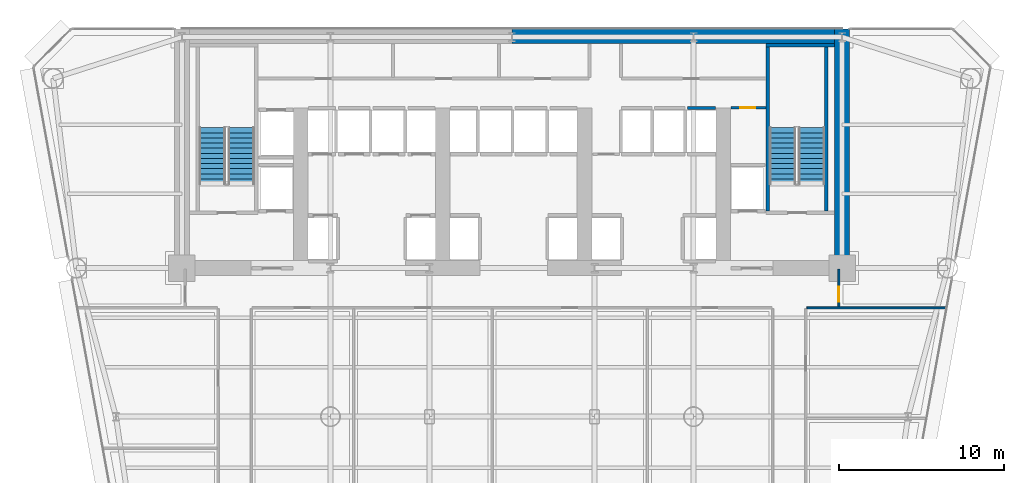
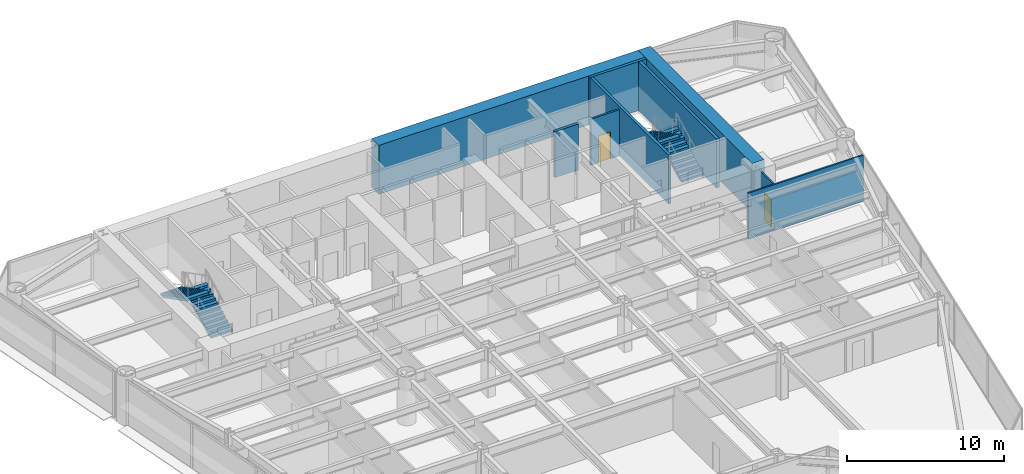
# One storey, part 10 of 14: 9 walls, 4 stair flights, 2 doors, 2 openings, 2 elements without a shape of their own.
"""IFC4 building model written with IfcOpenShell, lengths in metres."""

from ifc_helpers import new_model, si_unit, direction, frame, frame_2d, origin, place, context, subcontext, project, spatial, polyline, rectangle, outline, extrude, source, transform, mapped, material, layer, layer_set, type_object, element, fill, aggregate, save


model = new_model("IFC4")

# Units and contexts
model_context = context("Model", 3, precision=1e-05, world=origin(), true_north=direction((0.0, 1.0)))
body_context = subcontext(model_context, "Body", "Model", "MODEL_VIEW")
ifc_project = project(units=[si_unit("LENGTHUNIT", "METRE"), si_unit("AREAUNIT", "SQUARE_METRE"), si_unit("VOLUMEUNIT", "CUBIC_METRE"), si_unit("PLANEANGLEUNIT", "RADIAN"), si_unit("MASSUNIT", "GRAM", prefix="KILO")], contexts=[model_context])

# Site, building, storey
site_placement = place(None, origin())
site = spatial("IfcSite", under=ifc_project, at=site_placement, CompositionType="ELEMENT")
building_placement = place(site_placement, origin())
building = spatial("IfcBuilding", under=site, at=building_placement, Name="Vaeldorn Concourse Tower", CompositionType="ELEMENT")
storey_placement = place(building_placement, frame((0.0, 0.0, 56.800048828125)))
storey = spatial("IfcBuildingStorey", under=building, at=storey_placement, Name="L14", CompositionType="ELEMENT", Elevation=56.800048828125)

# Walls
ifc_material_1 = material(Name="Concrete C60/75", Category="concrete")
ifc_layer_1 = layer(ifc_material_1, 0.89990234375)
ifc_layer_set_1 = layer_set([ifc_layer_1], Name="Concrete C60/75")
wall_type_1 = type_object("IfcWallType", Name="WL-CORE-900", PredefinedType="SHEAR", material=ifc_layer_set_1)
wall_1_placement = place(storey_placement, frame((34.001953125, 50.550048828125, 0.0), z_axis=(0.0, 0.0, 1.0), x_axis=(1.0, 0.0, 0.0)))
element("IfcWall", 1, at=wall_1_placement, inside=storey, type_object=wall_type_1, Name="Rear Core Shear Wall L14 N2", PredefinedType="SHEAR", context=body_context, shape_type="SweptSolid", body=[
    extrude(rectangle(XDim=19.5439453125, YDim=0.89990234375, at=frame_2d((9.77197265625, 0.0))), origin(), (0.0, 0.0, 1.0), 3.800048828125),
])
wall_2_placement = place(storey_placement, frame((54.0, 36.5, 0.0), z_axis=(0.0, 0.0, 1.0), x_axis=(0.0, 1.0, 0.0)))
element("IfcWall", 2, at=wall_2_placement, inside=storey, type_object=wall_type_1, Name="Rear Core Shear Wall L14 E1", PredefinedType="SHEAR", context=body_context, shape_type="SweptSolid", body=[
    extrude(rectangle(XDim=14.5, YDim=0.89990234375, at=frame_2d((7.25, 0.0))), origin(), (0.0, 0.0, 1.0), 3.800048828125),
])
ifc_material_2 = material(Name="Gypsum Board Partition", Category="gypsum")
ifc_layer_2 = layer(ifc_material_2, 0.1201171875)
ifc_layer_set_2 = layer_set([ifc_layer_2], Name="Gypsum Board Partition")
wall_type_2 = type_object("IfcWallType", Name="WL-PART-120", PredefinedType="PARTITIONING", material=ifc_layer_set_2)
wall_3_placement = place(storey_placement, frame((51.860107421875, 34.10009765625, 0.0), z_axis=(0.0, 0.0, 1.0), x_axis=(1.0, 0.0, 0.0)))
element("IfcWall", 3, at=wall_3_placement, inside=storey, type_object=wall_type_2, Name="Interior Wall PW-L14-CEWE", PredefinedType="PARTITIONING", context=body_context, shape_type="SweptSolid", body=[
    extrude(rectangle(XDim=8.439208984375, YDim=0.1201171875, at=frame_2d((4.2197265625, 0.0))), origin(), (0.0, 0.0, 1.0), 3.579833984375),
])

# Wall, opening, door
wall_4_placement = place(storey_placement, frame((53.800048828125, 34.159912109375, 0.0), z_axis=(0.0, 0.0, 1.0), x_axis=(0.0, 1.0, 0.0)))
wall_4 = element("IfcWall", 4, at=wall_4_placement, inside=storey, type_object=wall_type_2, Name="Interior Wall PW-L14-CEET", PredefinedType="PARTITIONING", context=body_context, shape_type="SweptSolid", body=[
    extrude(rectangle(XDim=2.280029296875, YDim=0.1201171875, at=frame_2d((1.14013671875, 0.0))), origin(), (0.0, 0.0, 1.0), 3.579833984375),
])
opening_1_placement = place(wall_4_placement, frame((0.300048828125, 0.0, 0.0)))
opening_1 = element("IfcOpeningElement", 5, at=opening_1_placement, cuts=wall_4, Name="Opening D-03", PredefinedType="OPENING", context=body_context, shape_type="SweptSolid", body=[
    extrude(rectangle(XDim=0.89990234375, YDim=2.14990234375, at=frame_2d((0.449951171875, 1.074951171875))), frame((0.0, 0.070068359375, 0.0), z_axis=(0.0, -1.0, 0.0), x_axis=(1.0, 0.0, 0.0)), (0.0, 0.0, 1.0), 0.14013671875),
])
ifc_material_3 = material(Name="Acoustic Bronze-Framed Glass Door", Category="glass")
door_type_1 = type_object("IfcDoorType", Name="DR-INT-900", OperationType="NOTDEFINED", PredefinedType="DOOR", material=ifc_material_3)
shared_shape_1 = source(origin(), body_context, "Body", "SweptSolid", [
    extrude(rectangle(XDim=0.89990234375, YDim=2.14990234375, at=frame_2d((0.449951171875, 1.074951171875))), frame((0.0, 0.02490234375, 0.0), z_axis=(0.0, -1.0, 0.0), x_axis=(1.0, 0.0, 0.0)), (0.0, 0.0, 1.0), 0.050048828125),
])
door_1_placement = place(opening_1_placement, origin())
door_1 = element("IfcDoor", 6, at=door_1_placement, inside=storey, type_object=door_type_1, Name="Interior Door DR-L14-NE1", OperationType="SINGLE_SWING_RIGHT", OverallHeight=2.14990234375, OverallWidth=0.89990234375, PredefinedType="DOOR", context=body_context, shape_type="MappedRepresentation", body=[
    mapped(shared_shape_1, transform((0.0, 0.0, 0.0), scale=1.0)),
])
fill(opening_1, door_1)

ifc_layer_3 = layer(ifc_material_2, 0.14990234375)
ifc_layer_set_3 = layer_set([ifc_layer_3], Name="Gypsum Board Partition")
wall_type_3 = type_object("IfcWallType", Name="WL-PART-150", PredefinedType="PARTITIONING", material=ifc_layer_set_3)
wall_5_placement = place(storey_placement, frame((47.280029296875, 46.219970703125, 0.0), z_axis=(0.0, 0.0, 1.0), x_axis=(1.0, 0.0, 0.0)))
wall_5 = element("IfcWall", 7, at=wall_5_placement, inside=storey, type_object=wall_type_3, Name="Interior Wall CW-L14-CRSE-N", PredefinedType="PARTITIONING", context=body_context, shape_type="SweptSolid", body=[
    extrude(rectangle(XDim=2.099853515625, YDim=0.14990234375, at=frame_2d((1.0498046875, 0.0))), origin(), (0.0, 0.0, 1.0), 3.579833984375),
])
opening_2_placement = place(wall_5_placement, frame((0.550048828125, 0.0, 0.0)))
opening_2 = element("IfcOpeningElement", 8, at=opening_2_placement, cuts=wall_5, Name="Opening D-02", PredefinedType="OPENING", context=body_context, shape_type="SweptSolid", body=[
    extrude(rectangle(XDim=0.89990234375, YDim=2.10009765625, at=frame_2d((0.449951171875, 1.050048828125))), frame((0.0, 0.0849609375, 0.0), z_axis=(0.0, -1.0, 0.0), x_axis=(1.0, 0.0, 0.0)), (0.0, 0.0, 1.0), 0.169921875),
])
ifc_material_4 = material(Name="Fire-Rated Timber Leaf", Category="wood")
door_type_2 = type_object("IfcDoorType", Name="DR-FD30-900", OperationType="NOTDEFINED", PredefinedType="DOOR", material=ifc_material_4)
shared_shape_2 = source(origin(), body_context, "Body", "SweptSolid", [
    extrude(rectangle(XDim=0.89990234375, YDim=2.10009765625, at=frame_2d((0.449951171875, 1.050048828125))), frame((0.0, 0.02490234375, 0.0), z_axis=(0.0, -1.0, 0.0), x_axis=(1.0, 0.0, 0.0)), (0.0, 0.0, 1.0), 0.050048828125),
])
door_2_placement = place(opening_2_placement, origin())
door_2 = element("IfcDoor", 9, at=door_2_placement, inside=storey, type_object=door_type_2, Name="Interior Door DR-L14-CRSE", OperationType="SINGLE_SWING_RIGHT", OverallHeight=2.10009765625, OverallWidth=0.89990234375, PredefinedType="DOOR", context=body_context, shape_type="MappedRepresentation", body=[
    mapped(shared_shape_2, transform((0.0, 0.0, 0.0), scale=1.0)),
])
fill(opening_2, door_2)

# Walls
ifc_material_5 = material(Name="Concrete C50/60", Category="concrete")
ifc_layer_4 = layer(ifc_material_5, 0.199951171875)
ifc_layer_set_4 = layer_set([ifc_layer_4], Name="Concrete C50/60")
wall_type_4 = type_object("IfcWallType", Name="WL-SHAFT-200", PredefinedType="SOLIDWALL", material=ifc_layer_set_4)
wall_6_placement = place(storey_placement, frame((49.39990234375, 50.0, 0.0), z_axis=(0.0, 0.0, 1.0), x_axis=(1.0, 0.0, 0.0)))
element("IfcWall", 10, at=wall_6_placement, inside=storey, type_object=wall_type_4, Name="Stair Shaft Wall CW-L14-ST-2-N", PredefinedType="SOLIDWALL", context=body_context, shape_type="SweptSolid", body=[
    extrude(rectangle(XDim=4.150146484375, YDim=0.199951171875, at=frame_2d((2.0751953125, 0.0))), origin(), (0.0, 0.0, 1.0), 3.800048828125),
])
for number, where, z_axis, x_axis, name in (
    (11, (49.5, 39.9599609375, 0.0), (0.0, 0.0, 1.0), (0.0, 1.0, 0.0), "Stair Shaft Wall CW-L14-ST-2-W"),
    (12, (53.050048828125, 39.9599609375, 0.0), (0.0, 0.0, 1.0), (0.0, 1.0, 0.0), "Stair Shaft Wall CW-L14-ST-2-E"),
):
    element("IfcWall", number, at=place(storey_placement, frame(where, z_axis=z_axis, x_axis=x_axis)), inside=storey, type_object=wall_type_4, Name=name, PredefinedType="SOLIDWALL", context=body_context, shape_type="SweptSolid", body=[
        extrude(rectangle(XDim=9.929931640625, YDim=0.199951171875, at=frame_2d((4.96484375, 0.0))), origin(), (0.0, 0.0, 1.0), 3.800048828125),
    ])
wall_7_placement = place(storey_placement, frame((44.6201171875, 46.199951171875, 0.0), z_axis=(0.0, 0.0, 1.0), x_axis=(1.0, 0.0, 0.0)))
element("IfcWall", 13, at=wall_7_placement, inside=storey, type_object=wall_type_4, Name="Interior Wall CW-L14-LFB-LF-17", PredefinedType="SOLIDWALL", context=body_context, shape_type="SweptSolid", body=[
    extrude(rectangle(XDim=1.719970703125, YDim=0.199951171875, at=frame_2d((0.85986328125, 0.0))), origin(), (0.0, 0.0, 1.0), 3.579833984375),
])

# Stair, stair flights
ifc_material_6 = material(Name="Precast concrete C40/50", Category="concrete")
stair_type = type_object("IfcStairType", Name="STR-DOG-24x158", PredefinedType="HALF_TURN_STAIR", material=ifc_material_6)
stair_1_placement = place(storey_placement, origin())
stair_1 = element("IfcStair", 14, at=stair_1_placement, inside=storey, type_object=stair_type, Name="L14 West Core Exit Stair ST-1", PredefinedType="HALF_TURN_STAIR")
stair_flight_type = type_object("IfcStairFlightType", Name="STF-STR-12x158", PredefinedType="STRAIGHT", material=ifc_material_6)
stair_flight_1_placement = place(storey_placement, frame((17.60009765625, 41.60009765625, 0.0), z_axis=(0.0, 0.0, 1.0), x_axis=(0.0, 1.0, 0.0)))
stair_flight_1 = element("IfcStairFlight", 15, at=stair_flight_1_placement, type_object=stair_flight_type, Name="ST-1 flight 1", NumberOfRisers=12, NumberOfTreads=11, PredefinedType="STRAIGHT", RiserHeight=0.158333333, TreadLength=0.31, context=body_context, shape_type="SweptSolid", body=[
    extrude(outline(polyline([(0.0, 0.0), (0.0, 0.158447265625), (0.31005859375, 0.158447265625), (0.31005859375, 0.316650390625), (0.6201171875, 0.316650390625), (0.6201171875, 0.47509765625), (0.929931640625, 0.47509765625), (0.929931640625, 0.63330078125), (1.239990234375, 0.63330078125), (1.239990234375, 0.791748046875), (1.550048828125, 0.791748046875), (1.550048828125, 0.949951171875), (1.860107421875, 0.949951171875), (1.860107421875, 1.1083984375), (2.169921875, 1.1083984375), (2.169921875, 1.2666015625), (2.47998046875, 1.2666015625), (2.47998046875, 1.425048828125), (2.7900390625, 1.425048828125), (2.7900390625, 1.583251953125), (3.10009765625, 1.583251953125), (3.10009765625, 1.74169921875), (3.409912109375, 1.74169921875), (3.409912109375, 1.89990234375), (3.409912109375, 1.5732421875), (0.32958984375, 0.0), (0.0, 0.0)])), frame((0.0, 0.800048828125, 0.0), z_axis=(0.0, -1.0, 0.0), x_axis=(1.0, 0.0, 0.0)), (0.0, 0.0, 1.0), 1.60009765625),
])
stair_flight_2_placement = place(storey_placement, frame((15.85009765625, 45.010009765625, 1.89990234375), z_axis=(0.0, 0.0, 1.0), x_axis=(0.0, -1.0, 0.0)))
stair_flight_2 = element("IfcStairFlight", 16, at=stair_flight_2_placement, type_object=stair_flight_type, Name="ST-1 flight 2", NumberOfRisers=12, NumberOfTreads=11, PredefinedType="STRAIGHT", RiserHeight=0.158333333, TreadLength=0.31, context=body_context, shape_type="SweptSolid", body=[
    extrude(outline(polyline([(0.0, 0.0), (0.0, 0.158447265625), (0.31005859375, 0.158447265625), (0.31005859375, 0.316650390625), (0.6201171875, 0.316650390625), (0.6201171875, 0.47509765625), (0.929931640625, 0.47509765625), (0.929931640625, 0.63330078125), (1.239990234375, 0.63330078125), (1.239990234375, 0.791748046875), (1.550048828125, 0.791748046875), (1.550048828125, 0.949951171875), (1.860107421875, 0.949951171875), (1.860107421875, 1.1083984375), (2.169921875, 1.1083984375), (2.169921875, 1.2666015625), (2.47998046875, 1.2666015625), (2.47998046875, 1.425048828125), (2.7900390625, 1.425048828125), (2.7900390625, 1.583251953125), (3.10009765625, 1.583251953125), (3.10009765625, 1.74169921875), (3.409912109375, 1.74169921875), (3.409912109375, 1.89990234375), (3.409912109375, 1.5732421875), (0.32958984375, 0.0), (0.0, 0.0)])), frame((0.0, 0.800048828125, 0.0), z_axis=(0.0, -1.0, 0.0), x_axis=(1.0, 0.0, 0.0)), (0.0, 0.0, 1.0), 1.60009765625),
])
aggregate(stair_1, [stair_flight_1, stair_flight_2])

stair_2_placement = place(storey_placement, origin())
stair_2 = element("IfcStair", 17, at=stair_2_placement, inside=storey, type_object=stair_type, Name="L14 East Core Exit Stair ST-2", PredefinedType="HALF_TURN_STAIR")
stair_flight_3_placement = place(storey_placement, frame((52.14990234375, 41.60009765625, 0.0), z_axis=(0.0, 0.0, 1.0), x_axis=(0.0, 1.0, 0.0)))
stair_flight_3 = element("IfcStairFlight", 18, at=stair_flight_3_placement, type_object=stair_flight_type, Name="ST-2 flight 1", NumberOfRisers=12, NumberOfTreads=11, PredefinedType="STRAIGHT", RiserHeight=0.158333333, TreadLength=0.31, context=body_context, shape_type="SweptSolid", body=[
    extrude(outline(polyline([(0.0, 0.0), (0.0, 0.158447265625), (0.31005859375, 0.158447265625), (0.31005859375, 0.316650390625), (0.6201171875, 0.316650390625), (0.6201171875, 0.47509765625), (0.929931640625, 0.47509765625), (0.929931640625, 0.63330078125), (1.239990234375, 0.63330078125), (1.239990234375, 0.791748046875), (1.550048828125, 0.791748046875), (1.550048828125, 0.949951171875), (1.860107421875, 0.949951171875), (1.860107421875, 1.1083984375), (2.169921875, 1.1083984375), (2.169921875, 1.2666015625), (2.47998046875, 1.2666015625), (2.47998046875, 1.425048828125), (2.7900390625, 1.425048828125), (2.7900390625, 1.583251953125), (3.10009765625, 1.583251953125), (3.10009765625, 1.74169921875), (3.409912109375, 1.74169921875), (3.409912109375, 1.89990234375), (3.409912109375, 1.5732421875), (0.32958984375, 0.0), (0.0, 0.0)])), frame((0.0, 0.800048828125, 0.0), z_axis=(0.0, -1.0, 0.0), x_axis=(1.0, 0.0, 0.0)), (0.0, 0.0, 1.0), 1.60009765625),
])
stair_flight_4_placement = place(storey_placement, frame((50.39990234375, 45.010009765625, 1.89990234375), z_axis=(0.0, 0.0, 1.0), x_axis=(0.0, -1.0, 0.0)))
stair_flight_4 = element("IfcStairFlight", 19, at=stair_flight_4_placement, type_object=stair_flight_type, Name="ST-2 flight 2", NumberOfRisers=12, NumberOfTreads=11, PredefinedType="STRAIGHT", RiserHeight=0.158333333, TreadLength=0.31, context=body_context, shape_type="SweptSolid", body=[
    extrude(outline(polyline([(0.0, 0.0), (0.0, 0.158447265625), (0.31005859375, 0.158447265625), (0.31005859375, 0.316650390625), (0.6201171875, 0.316650390625), (0.6201171875, 0.47509765625), (0.929931640625, 0.47509765625), (0.929931640625, 0.63330078125), (1.239990234375, 0.63330078125), (1.239990234375, 0.791748046875), (1.550048828125, 0.791748046875), (1.550048828125, 0.949951171875), (1.860107421875, 0.949951171875), (1.860107421875, 1.1083984375), (2.169921875, 1.1083984375), (2.169921875, 1.2666015625), (2.47998046875, 1.2666015625), (2.47998046875, 1.425048828125), (2.7900390625, 1.425048828125), (2.7900390625, 1.583251953125), (3.10009765625, 1.583251953125), (3.10009765625, 1.74169921875), (3.409912109375, 1.74169921875), (3.409912109375, 1.89990234375), (3.409912109375, 1.5732421875), (0.32958984375, 0.0), (0.0, 0.0)])), frame((0.0, 0.800048828125, 0.0), z_axis=(0.0, -1.0, 0.0), x_axis=(1.0, 0.0, 0.0)), (0.0, 0.0, 1.0), 1.60009765625),
])
aggregate(stair_2, [stair_flight_3, stair_flight_4])

save(model, "model.ifc")
